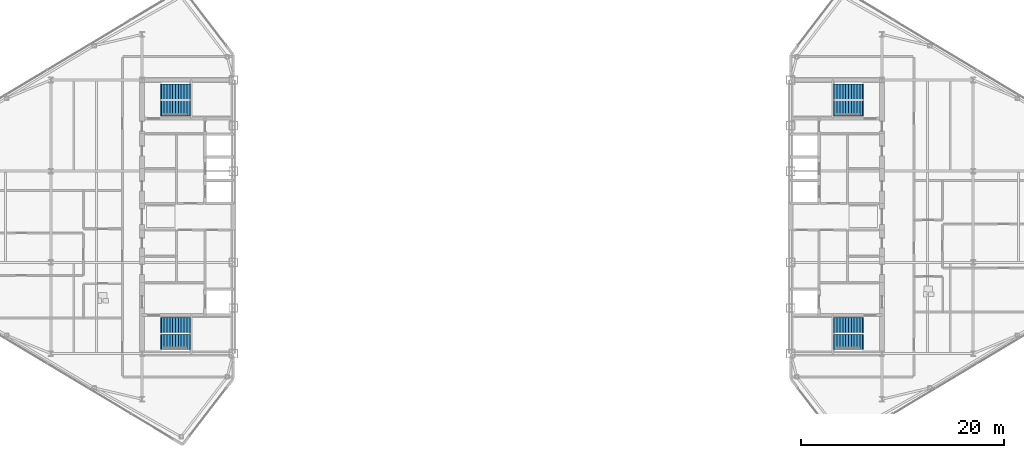
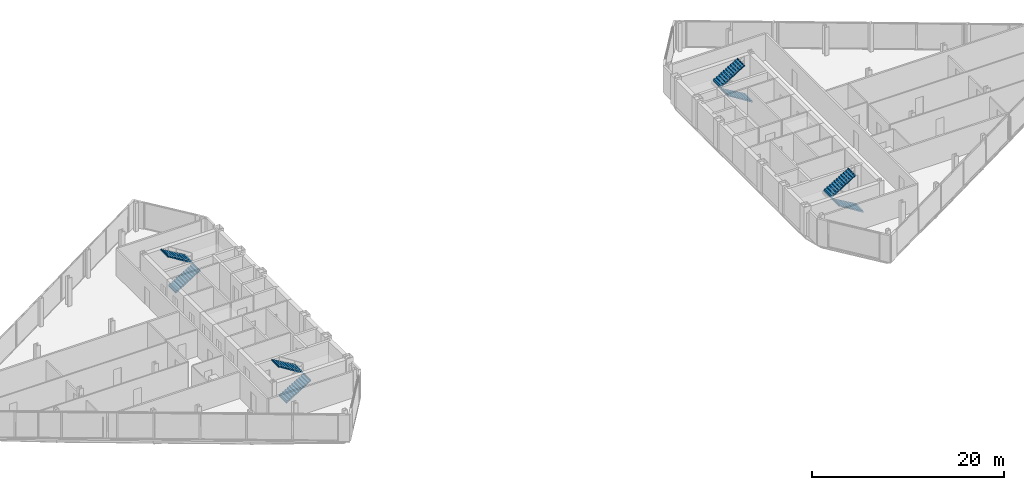
# One storey, part 23 of 25: 8 stair flights, 4 elements without a shape of their own.
"""IFC4 building model written with IfcOpenShell, lengths in metres."""

from ifc_helpers import new_model, si_unit, direction, frame, origin, place, context, subcontext, project, spatial, polyline, outline, extrude, material, type_object, element, aggregate, save


model = new_model("IFC4")

# Units and contexts
model_context = context("Model", 3, precision=1e-05, world=origin(), true_north=direction((0.0, 1.0)))
body_context = subcontext(model_context, "Body", "Model", "MODEL_VIEW")
ifc_project = project(units=[si_unit("LENGTHUNIT", "METRE"), si_unit("AREAUNIT", "SQUARE_METRE"), si_unit("VOLUMEUNIT", "CUBIC_METRE"), si_unit("PLANEANGLEUNIT", "RADIAN"), si_unit("MASSUNIT", "GRAM", prefix="KILO")], contexts=[model_context])

# Site, building, storey
site_placement = place(None, origin())
site = spatial("IfcSite", under=ifc_project, at=site_placement, CompositionType="ELEMENT")
building_placement = place(site_placement, origin())
building = spatial("IfcBuilding", under=site, at=building_placement, Name="Seokmaru Belvedere", CompositionType="ELEMENT")
storey_placement = place(building_placement, frame((0.0, 0.0, 210.300048828125)))
storey = spatial("IfcBuildingStorey", under=building, at=storey_placement, Name="L56", CompositionType="ELEMENT", Elevation=210.300048828125)

# Stair, stair flights
ifc_material = material(Name="Concrete C40 (40 MPa)", Category="concrete")
stair_type = type_object("IfcStairType", Name="Typical Tower Core Dog-Leg Stair 3600", PredefinedType="TWO_STRAIGHT_RUN_STAIR", material=ifc_material)
stair_1_placement = place(storey_placement, origin())
stair_1 = element("IfcStair", 1, at=stair_1_placement, inside=storey, type_object=stair_type, Name="L56 Special Escape Stair ST-W1", PredefinedType="TWO_STRAIGHT_RUN_STAIR")
stair_flight_type = type_object("IfcStairFlightType", Name="Reinforced Concrete Stair Flight 1500", PredefinedType="STRAIGHT", material=ifc_material)
stair_flight_1_placement = place(storey_placement, frame((-34.60009765625, -12.35009765625, 0.0), z_axis=(0.0, 0.0, 1.0), x_axis=(1.0, 0.0, 0.0)))
stair_flight_1 = element("IfcStairFlight", 2, at=stair_flight_1_placement, type_object=stair_flight_type, Name="ST-W1 flight 1", NumberOfRisers=11, NumberOfTreads=10, PredefinedType="STRAIGHT", RiserHeight=0.163636364, TreadLength=0.28, context=body_context, shape_type="SweptSolid", body=[
    extrude(outline(polyline([(-0.080078125, 0.0), (0.0, 0.16357421875), (0.280029296875, 0.16357421875), (0.280029296875, 0.327392578125), (0.56005859375, 0.327392578125), (0.56005859375, 0.490966796875), (0.840087890625, 0.490966796875), (0.840087890625, 0.654541015625), (1.1201171875, 0.654541015625), (1.1201171875, 0.818115234375), (1.39990234375, 0.818115234375), (1.39990234375, 0.98193359375), (1.679931640625, 0.98193359375), (1.679931640625, 1.1455078125), (1.9599609375, 1.1455078125), (1.9599609375, 1.30908203125), (2.239990234375, 1.30908203125), (2.239990234375, 1.47265625), (2.52001953125, 1.47265625), (2.52001953125, 1.636474609375), (2.800048828125, 1.636474609375), (2.800048828125, 1.800048828125), (2.8798828125, 1.800048828125), (2.8798828125, 1.610107421875), (2.800048828125, 1.610107421875), (0.0, -0.159912109375), (-0.080078125, -0.159912109375), (-0.080078125, 0.0)])), frame((0.0, 0.75, 0.0), z_axis=(0.0, -1.0, 0.0), x_axis=(1.0, 0.0, 0.0)), (0.0, 0.0, 1.0), 1.5),
])
stair_flight_2_placement = place(storey_placement, frame((-31.800048828125, -10.7099609375, 1.800048828125), z_axis=(0.0, 0.0, 1.0), x_axis=(-1.0, 0.0, 0.0)))
stair_flight_2 = element("IfcStairFlight", 3, at=stair_flight_2_placement, type_object=stair_flight_type, Name="ST-W1 flight 2", NumberOfRisers=11, NumberOfTreads=10, PredefinedType="STRAIGHT", RiserHeight=0.163636364, TreadLength=0.28, context=body_context, shape_type="SweptSolid", body=[
    extrude(outline(polyline([(-0.080078125, 0.0), (0.0, 0.16357421875), (0.280029296875, 0.16357421875), (0.280029296875, 0.327392578125), (0.56005859375, 0.327392578125), (0.56005859375, 0.490966796875), (0.840087890625, 0.490966796875), (0.840087890625, 0.654541015625), (1.1201171875, 0.654541015625), (1.1201171875, 0.818115234375), (1.39990234375, 0.818115234375), (1.39990234375, 0.98193359375), (1.679931640625, 0.98193359375), (1.679931640625, 1.1455078125), (1.9599609375, 1.1455078125), (1.9599609375, 1.30908203125), (2.239990234375, 1.30908203125), (2.239990234375, 1.47265625), (2.52001953125, 1.47265625), (2.52001953125, 1.636474609375), (2.800048828125, 1.636474609375), (2.800048828125, 1.800048828125), (2.8798828125, 1.800048828125), (2.8798828125, 1.610107421875), (2.800048828125, 1.610107421875), (0.0, -0.159912109375), (-0.080078125, -0.159912109375), (-0.080078125, 0.0)])), frame((0.0, 0.75, 0.0), z_axis=(0.0, -1.0, 0.0), x_axis=(1.0, 0.0, 0.0)), (0.0, 0.0, 1.0), 1.5),
])
aggregate(stair_1, [stair_flight_1, stair_flight_2])

stair_2_placement = place(storey_placement, origin())
stair_2 = element("IfcStair", 4, at=stair_2_placement, inside=storey, type_object=stair_type, Name="L56 Special Escape Stair ST-W2", PredefinedType="TWO_STRAIGHT_RUN_STAIR")
stair_flight_3_placement = place(storey_placement, frame((-34.60009765625, 10.7099609375, 0.0), z_axis=(0.0, 0.0, 1.0), x_axis=(1.0, 0.0, 0.0)))
stair_flight_3 = element("IfcStairFlight", 5, at=stair_flight_3_placement, type_object=stair_flight_type, Name="ST-W2 flight 1", NumberOfRisers=11, NumberOfTreads=10, PredefinedType="STRAIGHT", RiserHeight=0.163636364, TreadLength=0.28, context=body_context, shape_type="SweptSolid", body=[
    extrude(outline(polyline([(-0.080078125, 0.0), (0.0, 0.16357421875), (0.280029296875, 0.16357421875), (0.280029296875, 0.327392578125), (0.56005859375, 0.327392578125), (0.56005859375, 0.490966796875), (0.840087890625, 0.490966796875), (0.840087890625, 0.654541015625), (1.1201171875, 0.654541015625), (1.1201171875, 0.818115234375), (1.39990234375, 0.818115234375), (1.39990234375, 0.98193359375), (1.679931640625, 0.98193359375), (1.679931640625, 1.1455078125), (1.9599609375, 1.1455078125), (1.9599609375, 1.30908203125), (2.239990234375, 1.30908203125), (2.239990234375, 1.47265625), (2.52001953125, 1.47265625), (2.52001953125, 1.636474609375), (2.800048828125, 1.636474609375), (2.800048828125, 1.800048828125), (2.8798828125, 1.800048828125), (2.8798828125, 1.610107421875), (2.800048828125, 1.610107421875), (0.0, -0.159912109375), (-0.080078125, -0.159912109375), (-0.080078125, 0.0)])), frame((0.0, 0.75, 0.0), z_axis=(0.0, -1.0, 0.0), x_axis=(1.0, 0.0, 0.0)), (0.0, 0.0, 1.0), 1.5),
])
stair_flight_4_placement = place(storey_placement, frame((-31.800048828125, 12.35009765625, 1.800048828125), z_axis=(0.0, 0.0, 1.0), x_axis=(-1.0, 0.0, 0.0)))
stair_flight_4 = element("IfcStairFlight", 6, at=stair_flight_4_placement, type_object=stair_flight_type, Name="ST-W2 flight 2", NumberOfRisers=11, NumberOfTreads=10, PredefinedType="STRAIGHT", RiserHeight=0.163636364, TreadLength=0.28, context=body_context, shape_type="SweptSolid", body=[
    extrude(outline(polyline([(-0.080078125, 0.0), (0.0, 0.16357421875), (0.280029296875, 0.16357421875), (0.280029296875, 0.327392578125), (0.56005859375, 0.327392578125), (0.56005859375, 0.490966796875), (0.840087890625, 0.490966796875), (0.840087890625, 0.654541015625), (1.1201171875, 0.654541015625), (1.1201171875, 0.818115234375), (1.39990234375, 0.818115234375), (1.39990234375, 0.98193359375), (1.679931640625, 0.98193359375), (1.679931640625, 1.1455078125), (1.9599609375, 1.1455078125), (1.9599609375, 1.30908203125), (2.239990234375, 1.30908203125), (2.239990234375, 1.47265625), (2.52001953125, 1.47265625), (2.52001953125, 1.636474609375), (2.800048828125, 1.636474609375), (2.800048828125, 1.800048828125), (2.8798828125, 1.800048828125), (2.8798828125, 1.610107421875), (2.800048828125, 1.610107421875), (0.0, -0.159912109375), (-0.080078125, -0.159912109375), (-0.080078125, 0.0)])), frame((0.0, 0.75, 0.0), z_axis=(0.0, -1.0, 0.0), x_axis=(1.0, 0.0, 0.0)), (0.0, 0.0, 1.0), 1.5),
])
aggregate(stair_2, [stair_flight_3, stair_flight_4])

stair_3_placement = place(storey_placement, origin())
stair_3 = element("IfcStair", 7, at=stair_3_placement, inside=storey, type_object=stair_type, Name="L56 Special Escape Stair ST-E1", PredefinedType="TWO_STRAIGHT_RUN_STAIR")
stair_flight_5_placement = place(storey_placement, frame((34.60009765625, -12.35009765625, 0.0), z_axis=(0.0, 0.0, 1.0), x_axis=(-1.0, 0.0, 0.0)))
stair_flight_5 = element("IfcStairFlight", 8, at=stair_flight_5_placement, type_object=stair_flight_type, Name="ST-E1 flight 1", NumberOfRisers=11, NumberOfTreads=10, PredefinedType="STRAIGHT", RiserHeight=0.163636364, TreadLength=0.28, context=body_context, shape_type="SweptSolid", body=[
    extrude(outline(polyline([(-0.080078125, 0.0), (0.0, 0.16357421875), (0.280029296875, 0.16357421875), (0.280029296875, 0.327392578125), (0.56005859375, 0.327392578125), (0.56005859375, 0.490966796875), (0.840087890625, 0.490966796875), (0.840087890625, 0.654541015625), (1.1201171875, 0.654541015625), (1.1201171875, 0.818115234375), (1.39990234375, 0.818115234375), (1.39990234375, 0.98193359375), (1.679931640625, 0.98193359375), (1.679931640625, 1.1455078125), (1.9599609375, 1.1455078125), (1.9599609375, 1.30908203125), (2.239990234375, 1.30908203125), (2.239990234375, 1.47265625), (2.52001953125, 1.47265625), (2.52001953125, 1.636474609375), (2.800048828125, 1.636474609375), (2.800048828125, 1.800048828125), (2.8798828125, 1.800048828125), (2.8798828125, 1.610107421875), (2.800048828125, 1.610107421875), (0.0, -0.159912109375), (-0.080078125, -0.159912109375), (-0.080078125, 0.0)])), frame((0.0, 0.75, 0.0), z_axis=(0.0, -1.0, 0.0), x_axis=(1.0, 0.0, 0.0)), (0.0, 0.0, 1.0), 1.5),
])
stair_flight_6_placement = place(storey_placement, frame((31.800048828125, -10.7099609375, 1.800048828125), z_axis=(0.0, 0.0, 1.0), x_axis=(1.0, 0.0, 0.0)))
stair_flight_6 = element("IfcStairFlight", 9, at=stair_flight_6_placement, type_object=stair_flight_type, Name="ST-E1 flight 2", NumberOfRisers=11, NumberOfTreads=10, PredefinedType="STRAIGHT", RiserHeight=0.163636364, TreadLength=0.28, context=body_context, shape_type="SweptSolid", body=[
    extrude(outline(polyline([(-0.080078125, 0.0), (0.0, 0.16357421875), (0.280029296875, 0.16357421875), (0.280029296875, 0.327392578125), (0.56005859375, 0.327392578125), (0.56005859375, 0.490966796875), (0.840087890625, 0.490966796875), (0.840087890625, 0.654541015625), (1.1201171875, 0.654541015625), (1.1201171875, 0.818115234375), (1.39990234375, 0.818115234375), (1.39990234375, 0.98193359375), (1.679931640625, 0.98193359375), (1.679931640625, 1.1455078125), (1.9599609375, 1.1455078125), (1.9599609375, 1.30908203125), (2.239990234375, 1.30908203125), (2.239990234375, 1.47265625), (2.52001953125, 1.47265625), (2.52001953125, 1.636474609375), (2.800048828125, 1.636474609375), (2.800048828125, 1.800048828125), (2.8798828125, 1.800048828125), (2.8798828125, 1.610107421875), (2.800048828125, 1.610107421875), (0.0, -0.159912109375), (-0.080078125, -0.159912109375), (-0.080078125, 0.0)])), frame((0.0, 0.75, 0.0), z_axis=(0.0, -1.0, 0.0), x_axis=(1.0, 0.0, 0.0)), (0.0, 0.0, 1.0), 1.5),
])
aggregate(stair_3, [stair_flight_5, stair_flight_6])

stair_4_placement = place(storey_placement, origin())
stair_4 = element("IfcStair", 10, at=stair_4_placement, inside=storey, type_object=stair_type, Name="L56 Special Escape Stair ST-E2", PredefinedType="TWO_STRAIGHT_RUN_STAIR")
stair_flight_7_placement = place(storey_placement, frame((34.60009765625, 10.7099609375, 0.0), z_axis=(0.0, 0.0, 1.0), x_axis=(-1.0, 0.0, 0.0)))
stair_flight_7 = element("IfcStairFlight", 11, at=stair_flight_7_placement, type_object=stair_flight_type, Name="ST-E2 flight 1", NumberOfRisers=11, NumberOfTreads=10, PredefinedType="STRAIGHT", RiserHeight=0.163636364, TreadLength=0.28, context=body_context, shape_type="SweptSolid", body=[
    extrude(outline(polyline([(-0.080078125, 0.0), (0.0, 0.16357421875), (0.280029296875, 0.16357421875), (0.280029296875, 0.327392578125), (0.56005859375, 0.327392578125), (0.56005859375, 0.490966796875), (0.840087890625, 0.490966796875), (0.840087890625, 0.654541015625), (1.1201171875, 0.654541015625), (1.1201171875, 0.818115234375), (1.39990234375, 0.818115234375), (1.39990234375, 0.98193359375), (1.679931640625, 0.98193359375), (1.679931640625, 1.1455078125), (1.9599609375, 1.1455078125), (1.9599609375, 1.30908203125), (2.239990234375, 1.30908203125), (2.239990234375, 1.47265625), (2.52001953125, 1.47265625), (2.52001953125, 1.636474609375), (2.800048828125, 1.636474609375), (2.800048828125, 1.800048828125), (2.8798828125, 1.800048828125), (2.8798828125, 1.610107421875), (2.800048828125, 1.610107421875), (0.0, -0.159912109375), (-0.080078125, -0.159912109375), (-0.080078125, 0.0)])), frame((0.0, 0.75, 0.0), z_axis=(0.0, -1.0, 0.0), x_axis=(1.0, 0.0, 0.0)), (0.0, 0.0, 1.0), 1.5),
])
stair_flight_8_placement = place(storey_placement, frame((31.800048828125, 12.35009765625, 1.800048828125), z_axis=(0.0, 0.0, 1.0), x_axis=(1.0, 0.0, 0.0)))
stair_flight_8 = element("IfcStairFlight", 12, at=stair_flight_8_placement, type_object=stair_flight_type, Name="ST-E2 flight 2", NumberOfRisers=11, NumberOfTreads=10, PredefinedType="STRAIGHT", RiserHeight=0.163636364, TreadLength=0.28, context=body_context, shape_type="SweptSolid", body=[
    extrude(outline(polyline([(-0.080078125, 0.0), (0.0, 0.16357421875), (0.280029296875, 0.16357421875), (0.280029296875, 0.327392578125), (0.56005859375, 0.327392578125), (0.56005859375, 0.490966796875), (0.840087890625, 0.490966796875), (0.840087890625, 0.654541015625), (1.1201171875, 0.654541015625), (1.1201171875, 0.818115234375), (1.39990234375, 0.818115234375), (1.39990234375, 0.98193359375), (1.679931640625, 0.98193359375), (1.679931640625, 1.1455078125), (1.9599609375, 1.1455078125), (1.9599609375, 1.30908203125), (2.239990234375, 1.30908203125), (2.239990234375, 1.47265625), (2.52001953125, 1.47265625), (2.52001953125, 1.636474609375), (2.800048828125, 1.636474609375), (2.800048828125, 1.800048828125), (2.8798828125, 1.800048828125), (2.8798828125, 1.610107421875), (2.800048828125, 1.610107421875), (0.0, -0.159912109375), (-0.080078125, -0.159912109375), (-0.080078125, 0.0)])), frame((0.0, 0.75, 0.0), z_axis=(0.0, -1.0, 0.0), x_axis=(1.0, 0.0, 0.0)), (0.0, 0.0, 1.0), 1.5),
])
aggregate(stair_4, [stair_flight_7, stair_flight_8])

save(model, "model.ifc")
